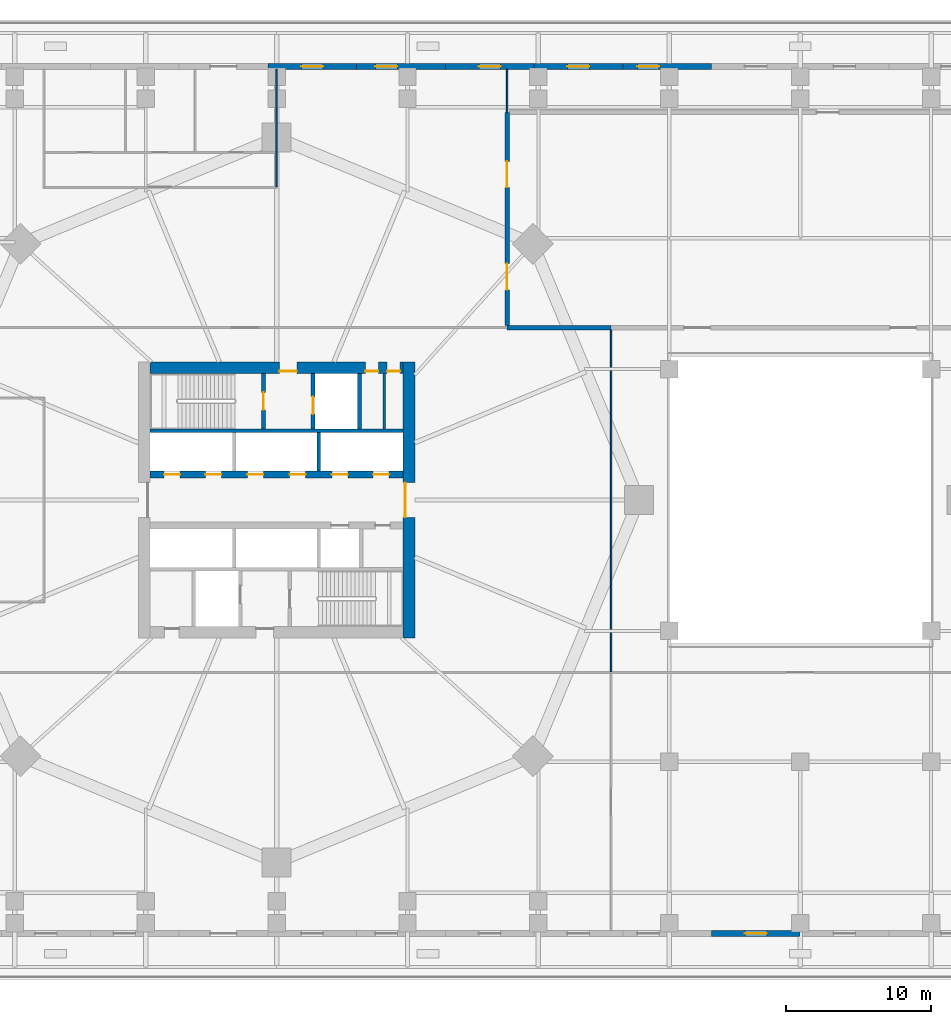
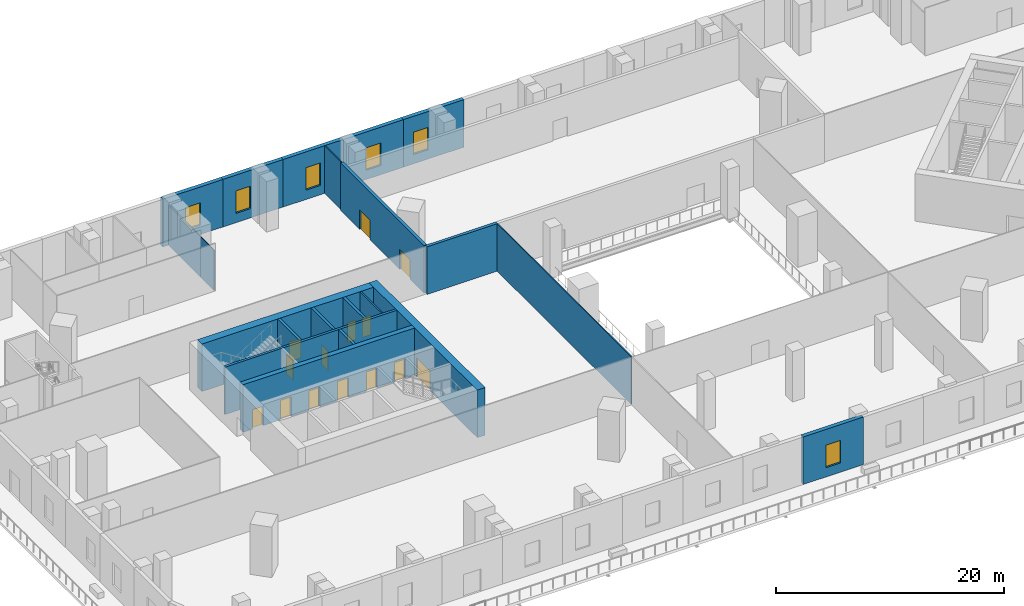
# One storey, part 6 of 19: 21 walls, 14 doors, 6 windows, 20 openings.
"""IFC4 building model written with IfcOpenShell, lengths in metres."""

from ifc_helpers import new_model, si_unit, direction, frame, frame_2d, origin, place, context, subcontext, project, spatial, rectangle, extrude, material, layer, layer_set, type_object, element, fill, save


model = new_model("IFC4")

# Units and contexts
model_context = context("Model", 3, precision=1e-05, world=origin(), true_north=direction((0.0, 1.0)))
body_context = subcontext(model_context, "Body", "Model", "MODEL_VIEW")
ifc_project = project(units=[si_unit("LENGTHUNIT", "METRE"), si_unit("AREAUNIT", "SQUARE_METRE"), si_unit("VOLUMEUNIT", "CUBIC_METRE"), si_unit("PLANEANGLEUNIT", "RADIAN"), si_unit("MASSUNIT", "GRAM", prefix="KILO")], contexts=[model_context])

# Site, building, storey
site_placement = place(None, origin())
site = spatial("IfcSite", under=ifc_project, at=site_placement, CompositionType="ELEMENT")
building_placement = place(site_placement, origin())
building = spatial("IfcBuilding", under=site, at=building_placement, Name="Ogive Gate Towers", CompositionType="ELEMENT")
storey_placement = place(building_placement, frame((0.0, 0.0, 12.60009765625)))
storey = spatial("IfcBuildingStorey", under=building, at=storey_placement, Name="L02", CompositionType="ELEMENT", Elevation=12.60009765625)

# Wall, openings, doors
ifc_material_1 = material(Name="Concrete C60/75", Category="concrete")
ifc_layer_1 = layer(ifc_material_1, 0.800048828125)
ifc_layer_set_1 = layer_set([ifc_layer_1], Name="Core wall 800 mm")
wall_type_1 = type_object("IfcWallType", Name="Core wall 800 mm", PredefinedType="SHEAR", material=ifc_layer_set_1)
wall_1_placement = place(storey_placement, frame((-44.699951171875, 9.10009765625, 0.0), z_axis=(0.0, 0.0, 1.0), x_axis=(1.0, 0.0, 0.0)))
wall_1 = element("IfcWall", 1, at=wall_1_placement, inside=storey, type_object=wall_type_1, Name="T1 L02 Core wall 800 mm", PredefinedType="SHEAR", context=body_context, shape_type="SweptSolid", body=[
    extrude(rectangle(XDim=17.39990234375, YDim=0.800048828125, at=frame_2d((8.699951171875, 0.0))), origin(), (0.0, 0.0, 1.0), 5.099853515625),
])
opening_1_placement = place(wall_1_placement, frame((8.89990234375, 0.0, 0.0)))
opening_1 = element("IfcOpeningElement", 2, at=opening_1_placement, cuts=wall_1, Name="Opening KD-T1-L02-15", PredefinedType="OPENING", context=body_context, shape_type="SweptSolid", body=[
    extrude(rectangle(XDim=1.199951171875, YDim=2.10009765625, at=frame_2d((0.60009765625, 1.050048828125))), frame((0.0, 0.41015625, 0.0), z_axis=(0.0, -1.0, 0.0), x_axis=(1.0, 0.0, 0.0)), (0.0, 0.0, 1.0), 0.820068359375),
])
opening_2_placement = place(wall_1_placement, frame((14.800048828125, 0.0, 0.0)))
opening_2 = element("IfcOpeningElement", 3, at=opening_2_placement, cuts=wall_1, Name="Opening KD-T1-L02-17", PredefinedType="OPENING", context=body_context, shape_type="SweptSolid", body=[
    extrude(rectangle(XDim=0.89990234375, YDim=2.10009765625, at=frame_2d((0.449951171875, 1.050048828125))), frame((0.0, 0.41015625, 0.0), z_axis=(0.0, -1.0, 0.0), x_axis=(1.0, 0.0, 0.0)), (0.0, 0.0, 1.0), 0.820068359375),
])
opening_3_placement = place(wall_1_placement, frame((16.300048828125, 0.0, 0.0)))
opening_3 = element("IfcOpeningElement", 4, at=opening_3_placement, cuts=wall_1, Name="Opening KD-T1-L02-18", PredefinedType="OPENING", context=body_context, shape_type="SweptSolid", body=[
    extrude(rectangle(XDim=0.89990234375, YDim=2.10009765625, at=frame_2d((0.449951171875, 1.050048828125))), frame((0.0, 0.41015625, 0.0), z_axis=(0.0, -1.0, 0.0), x_axis=(1.0, 0.0, 0.0)), (0.0, 0.0, 1.0), 0.820068359375),
])
ifc_material_2 = material(Name="Timber door", Category="wood")
door_type_1 = type_object("IfcDoorType", Name="Core WC door 900 x 2100", OperationType="NOTDEFINED", PredefinedType="DOOR", material=ifc_material_2)
door_1_placement = place(opening_2_placement, origin())
door_1 = element("IfcDoor", 5, at=door_1_placement, inside=storey, type_object=door_type_1, Name="T1 L02 Core door", OperationType="SINGLE_SWING_RIGHT", OverallHeight=2.10009765625, OverallWidth=0.89990234375, PredefinedType="DOOR", context=body_context, shape_type="SweptSolid", body=[
    extrude(rectangle(XDim=0.89990234375, YDim=2.10009765625, at=frame_2d((0.449951171875, 1.050048828125))), frame((0.0, -0.22509765625, 0.0), z_axis=(0.0, -1.0, 0.0), x_axis=(1.0, 0.0, 0.0)), (0.0, 0.0, 1.0), 0.050048828125),
])
fill(opening_2, door_1)
door_2_placement = place(opening_3_placement, origin())
door_2 = element("IfcDoor", 6, at=door_2_placement, inside=storey, type_object=door_type_1, Name="T1 L02 Core door", OperationType="SINGLE_SWING_LEFT", OverallHeight=2.10009765625, OverallWidth=0.89990234375, PredefinedType="DOOR", context=body_context, shape_type="SweptSolid", body=[
    extrude(rectangle(XDim=0.89990234375, YDim=2.10009765625, at=frame_2d((0.449951171875, 1.050048828125))), frame((0.0, -0.22509765625, 0.0), z_axis=(0.0, -1.0, 0.0), x_axis=(1.0, 0.0, 0.0)), (0.0, 0.0, 1.0), 0.050048828125),
])
fill(opening_3, door_2)
ifc_material_3 = material(Name="Steel fire door", Category="steel")
door_type_2 = type_object("IfcDoorType", Name="Core door FD60S 1200 x 2100", OperationType="NOTDEFINED", PredefinedType="DOOR", material=ifc_material_3)
door_3_placement = place(opening_1_placement, origin())
door_3 = element("IfcDoor", 7, at=door_3_placement, inside=storey, type_object=door_type_2, Name="T1 L02 Fire-fighting lobby door", OperationType="SINGLE_SWING_RIGHT", OverallHeight=2.10009765625, OverallWidth=1.199951171875, PredefinedType="DOOR", context=body_context, shape_type="SweptSolid", body=[
    extrude(rectangle(XDim=1.199951171875, YDim=2.10009765625, at=frame_2d((0.60009765625, 1.050048828125))), frame((0.0, -0.22509765625, 0.0), z_axis=(0.0, -1.0, 0.0), x_axis=(1.0, 0.0, 0.0)), (0.0, 0.0, 1.0), 0.050048828125),
])
fill(opening_1, door_3)

# Wall, opening, door
wall_2_placement = place(storey_placement, frame((-26.89990234375, -9.5, 0.0), z_axis=(0.0, 0.0, 1.0), x_axis=(0.0, 1.0, 0.0)))
wall_2 = element("IfcWall", 8, at=wall_2_placement, inside=storey, type_object=wall_type_1, Name="T1 L02 Core wall 800 mm", PredefinedType="SHEAR", context=body_context, shape_type="SweptSolid", body=[
    extrude(rectangle(XDim=19.0, YDim=0.800048828125, at=frame_2d((9.5, 0.0))), origin(), (0.0, 0.0, 1.0), 5.099853515625),
])
opening_4_placement = place(wall_2_placement, frame((8.300048828125, 0.0, 0.0)))
opening_4 = element("IfcOpeningElement", 9, at=opening_4_placement, cuts=wall_2, Name="Opening KD-T1-L02-02", PredefinedType="OPENING", context=body_context, shape_type="SweptSolid", body=[
    extrude(rectangle(XDim=2.39990234375, YDim=2.10009765625, at=frame_2d((1.199951171875, 1.050048828125))), frame((0.0, 0.41015625, 0.0), z_axis=(0.0, -1.0, 0.0), x_axis=(1.0, 0.0, 0.0)), (0.0, 0.0, 1.0), 0.820068359375),
])
door_type_3 = type_object("IfcDoorType", Name="Core double door FD60S 2400 x 2100", OperationType="DOUBLE_DOOR_SINGLE_SWING", PredefinedType="DOOR", material=ifc_material_3)
door_4_placement = place(opening_4_placement, origin())
door_4 = element("IfcDoor", 10, at=door_4_placement, inside=storey, type_object=door_type_3, Name="T1 L02 Core door double", OperationType="DOUBLE_DOOR_SINGLE_SWING", OverallHeight=2.10009765625, OverallWidth=2.39990234375, PredefinedType="DOOR", context=body_context, shape_type="SweptSolid", body=[
    extrude(rectangle(XDim=2.39990234375, YDim=2.10009765625, at=frame_2d((1.199951171875, 1.050048828125))), frame((0.0, 0.27490234375, 0.0), z_axis=(0.0, -1.0, 0.0), x_axis=(1.0, 0.0, 0.0)), (0.0, 0.0, 1.0), 0.050048828125),
])
fill(opening_4, door_4)

# Walls
ifc_material_4 = material(Name="Gypsum board partition")
ifc_layer_2 = layer(ifc_material_4, 0.10009765625)
ifc_layer_set_2 = layer_set([ifc_layer_2], Name="Partition wall 100")
wall_type_2 = type_object("IfcWallType", Name="Partition wall 100", PredefinedType="PARTITIONING", material=ifc_layer_set_2)
wall_3_placement = place(storey_placement, frame((-20.14990234375, 26.64990234375, 0.0), z_axis=(0.0, 0.0, 1.0), x_axis=(0.0, 1.0, 0.0)))
element("IfcWall", 11, at=wall_3_placement, inside=storey, type_object=wall_type_2, Name="L02 partition 023", PredefinedType="PARTITIONING", context=body_context, shape_type="SweptSolid", body=[
    extrude(rectangle(XDim=2.9501953125, YDim=0.10009765625, at=frame_2d((1.47509765625, 0.0))), origin(), (0.0, 0.0, 1.0), 5.099853515625),
])
wall_4_placement = place(storey_placement, frame((-36.0, 21.550048828125, 0.0), z_axis=(0.0, 0.0, 1.0), x_axis=(0.0, 1.0, 0.0)))
element("IfcWall", 12, at=wall_4_placement, inside=storey, type_object=wall_type_2, Name="L02 partition 030", PredefinedType="PARTITIONING", context=body_context, shape_type="SweptSolid", body=[
    extrude(rectangle(XDim=2.349853515625, YDim=0.10009765625, at=frame_2d((1.1748046875, 0.0))), origin(), (0.0, 0.0, 1.0), 4.309814453125),
])
wall_5_placement = place(storey_placement, frame((-36.0, 23.89990234375, 0.0), z_axis=(0.0, 0.0, 1.0), x_axis=(0.0, 1.0, 0.0)))
element("IfcWall", 13, at=wall_5_placement, inside=storey, type_object=wall_type_2, Name="L02 partition 034", PredefinedType="PARTITIONING", context=body_context, shape_type="SweptSolid", body=[
    extrude(rectangle(XDim=5.7001953125, YDim=0.10009765625, at=frame_2d((2.85009765625, 0.0))), origin(), (0.0, 0.0, 1.0), 4.309814453125),
])
wall_6_placement = place(storey_placement, frame((-13.0, -11.800048828125, 0.0), z_axis=(0.0, 0.0, 1.0), x_axis=(0.0, 1.0, 0.0)))
element("IfcWall", 14, at=wall_6_placement, inside=storey, type_object=wall_type_2, Name="L02 partition 050", PredefinedType="PARTITIONING", context=body_context, shape_type="SweptSolid", body=[
    extrude(rectangle(XDim=23.5, YDim=0.10009765625, at=frame_2d((11.75, 0.0))), origin(), (0.0, 0.0, 1.0), 5.099853515625),
])

# Wall, openings, doors
ifc_material_5 = material(Name="Acoustic masonry wall", Category="masonry")
ifc_layer_3 = layer(ifc_material_5, 0.300048828125)
ifc_layer_set_3 = layer_set([ifc_layer_3], Name="Partition wall 300")
wall_type_3 = type_object("IfcWallType", Name="Partition wall 300", PredefinedType="PARTITIONING", material=ifc_layer_set_3)
wall_7_placement = place(storey_placement, frame((-20.14990234375, 12.0, 0.0), z_axis=(0.0, 0.0, 1.0), x_axis=(0.0, 1.0, 0.0)))
wall_7 = element("IfcWall", 15, at=wall_7_placement, inside=storey, type_object=wall_type_3, Name="L02 partition 018", PredefinedType="PARTITIONING", context=body_context, shape_type="SweptSolid", body=[
    extrude(rectangle(XDim=14.64990234375, YDim=0.300048828125, at=frame_2d((7.324951171875, 0.0))), origin(), (0.0, 0.0, 1.0), 5.099853515625),
])
opening_5_placement = place(wall_7_placement, frame((2.44384765625, 0.0, 0.0)))
opening_5 = element("IfcOpeningElement", 16, at=opening_5_placement, cuts=wall_7, Name="Opening PO158", PredefinedType="OPENING", context=body_context, shape_type="SweptSolid", body=[
    extrude(rectangle(XDim=1.800048828125, YDim=2.10009765625, at=frame_2d((0.89990234375, 1.050048828125))), frame((0.0, 0.16015625, 0.0), z_axis=(0.0, -1.0, 0.0), x_axis=(1.0, 0.0, 0.0)), (0.0, 0.0, 1.0), 0.320068359375),
])
opening_6_placement = place(wall_7_placement, frame((9.487548828125, 0.0, 0.0)))
opening_6 = element("IfcOpeningElement", 17, at=opening_6_placement, cuts=wall_7, Name="Opening PO159", PredefinedType="OPENING", context=body_context, shape_type="SweptSolid", body=[
    extrude(rectangle(XDim=1.800048828125, YDim=2.10009765625, at=frame_2d((0.89990234375, 1.050048828125))), frame((0.0, 0.16015625, 0.0), z_axis=(0.0, -1.0, 0.0), x_axis=(1.0, 0.0, 0.0)), (0.0, 0.0, 1.0), 0.320068359375),
])
door_type_4 = type_object("IfcDoorType", Name="Interior fire double door FD60S 1800 x 2100", OperationType="NOTDEFINED", PredefinedType="DOOR", material=ifc_material_3)
door_5_placement = place(opening_5_placement, origin())
door_5 = element("IfcDoor", 18, at=door_5_placement, inside=storey, type_object=door_type_4, Name="Door PO158", OperationType="DOUBLE_DOOR_DOUBLE_SWING", OverallHeight=2.10009765625, OverallWidth=1.800048828125, PredefinedType="DOOR", context=body_context, shape_type="SweptSolid", body=[
    extrude(rectangle(XDim=1.800048828125, YDim=2.10009765625, at=frame_2d((0.89990234375, 1.050048828125))), frame((0.0, 0.02490234375, 0.0), z_axis=(0.0, -1.0, 0.0), x_axis=(1.0, 0.0, 0.0)), (0.0, 0.0, 1.0), 0.050048828125),
])
fill(opening_5, door_5)
door_6_placement = place(opening_6_placement, origin())
door_6 = element("IfcDoor", 19, at=door_6_placement, inside=storey, type_object=door_type_4, Name="Door PO159", OperationType="DOUBLE_DOOR_DOUBLE_SWING", OverallHeight=2.10009765625, OverallWidth=1.800048828125, PredefinedType="DOOR", context=body_context, shape_type="SweptSolid", body=[
    extrude(rectangle(XDim=1.800048828125, YDim=2.10009765625, at=frame_2d((0.89990234375, 1.050048828125))), frame((0.0, 0.02490234375, 0.0), z_axis=(0.0, -1.0, 0.0), x_axis=(1.0, 0.0, 0.0)), (0.0, 0.0, 1.0), 0.050048828125),
])
fill(opening_6, door_6)

# Wall
wall_8_placement = place(storey_placement, frame((-20.14990234375, 11.85009765625, 0.0), z_axis=(0.0, 0.0, 1.0), x_axis=(1.0, 0.0, 0.0)))
element("IfcWall", 20, at=wall_8_placement, inside=storey, type_object=wall_type_3, Name="L02 partition 021", PredefinedType="PARTITIONING", context=body_context, shape_type="SweptSolid", body=[
    extrude(rectangle(XDim=7.14990234375, YDim=0.300048828125, at=frame_2d((3.574951171875, 0.0))), origin(), (0.0, 0.0, 1.0), 5.099853515625),
])

# Wall, opening, window
ifc_material_6 = material(Name="Precast concrete C40/50", Category="concrete")
ifc_layer_4 = layer(ifc_material_6, 0.39990234375)
ifc_layer_set_4 = layer_set([ifc_layer_4], Name="Podium wall 400")
wall_type_4 = type_object("IfcWallType", Name="Podium wall 400", PredefinedType="SOLIDWALL", material=ifc_layer_set_4)
wall_9_placement = place(storey_placement, frame((-6.10009765625, 29.800048828125, 0.0), z_axis=(0.0, 0.0, 1.0), x_axis=(-1.0, 0.0, 0.0)))
wall_9 = element("IfcWall", 21, at=wall_9_placement, inside=storey, type_object=wall_type_4, Name="Podium wall", PredefinedType="SOLIDWALL", context=body_context, shape_type="SweptSolid", body=[
    extrude(rectangle(XDim=6.099853515625, YDim=0.39990234375, at=frame_2d((3.0498046875, 0.0))), origin(), (0.0, 0.0, 1.0), 5.099853515625),
])
opening_7_placement = place(wall_9_placement, frame((3.60009765625, 0.0, 1.0)))
opening_7 = element("IfcOpeningElement", 22, at=opening_7_placement, cuts=wall_9, Name="Opening WN2", PredefinedType="OPENING", context=body_context, shape_type="SweptSolid", body=[
    extrude(rectangle(XDim=1.5, YDim=2.39990234375, at=frame_2d((0.75, 1.199951171875))), frame((0.0, 0.2099609375, 0.0), z_axis=(0.0, -1.0, 0.0), x_axis=(1.0, 0.0, 0.0)), (0.0, 0.0, 1.0), 0.419921875),
])
ifc_material_7 = material(Name="Clear glass", Category="glass")
window_type = type_object("IfcWindowType", Name="Podium window 1500 x 2400", PartitioningType="SINGLE_PANEL", PredefinedType="WINDOW", material=ifc_material_7)
window_1_placement = place(opening_7_placement, origin())
window_1 = element("IfcWindow", 23, at=window_1_placement, inside=storey, type_object=window_type, Name="Podium window", OverallHeight=2.39990234375, OverallWidth=1.5, PartitioningType="SINGLE_PANEL", PredefinedType="WINDOW", context=body_context, shape_type="SweptSolid", body=[
    extrude(rectangle(XDim=1.5, YDim=2.39990234375, at=frame_2d((0.75, 1.199951171875))), frame((0.0, 0.030029296875, 0.0), z_axis=(0.0, -1.0, 0.0), x_axis=(1.0, 0.0, 0.0)), (0.0, 0.0, 1.0), 0.06005859375),
])
fill(opening_7, window_1)

wall_10_placement = place(storey_placement, frame((-12.199951171875, 29.800048828125, 0.0), z_axis=(0.0, 0.0, 1.0), x_axis=(-1.0, 0.0, 0.0)))
wall_10 = element("IfcWall", 24, at=wall_10_placement, inside=storey, type_object=wall_type_4, Name="Podium wall", PredefinedType="SOLIDWALL", context=body_context, shape_type="SweptSolid", body=[
    extrude(rectangle(XDim=6.10009765625, YDim=0.39990234375, at=frame_2d((3.050048828125, 0.0))), origin(), (0.0, 0.0, 1.0), 5.099853515625),
])
opening_8_placement = place(wall_10_placement, frame((2.300048828125, 0.0, 1.0)))
opening_8 = element("IfcOpeningElement", 25, at=opening_8_placement, cuts=wall_10, Name="Opening WN2", PredefinedType="OPENING", context=body_context, shape_type="SweptSolid", body=[
    extrude(rectangle(XDim=1.5, YDim=2.39990234375, at=frame_2d((0.75, 1.199951171875))), frame((0.0, 0.2099609375, 0.0), z_axis=(0.0, -1.0, 0.0), x_axis=(1.0, 0.0, 0.0)), (0.0, 0.0, 1.0), 0.419921875),
])
window_2_placement = place(opening_8_placement, origin())
window_2 = element("IfcWindow", 26, at=window_2_placement, inside=storey, type_object=window_type, Name="Podium window", OverallHeight=2.39990234375, OverallWidth=1.5, PartitioningType="SINGLE_PANEL", PredefinedType="WINDOW", context=body_context, shape_type="SweptSolid", body=[
    extrude(rectangle(XDim=1.5, YDim=2.39990234375, at=frame_2d((0.75, 1.199951171875))), frame((0.0, 0.030029296875, 0.0), z_axis=(0.0, -1.0, 0.0), x_axis=(1.0, 0.0, 0.0)), (0.0, 0.0, 1.0), 0.06005859375),
])
fill(opening_8, window_2)

wall_11_placement = place(storey_placement, frame((-18.300048828125, 29.800048828125, 0.0), z_axis=(0.0, 0.0, 1.0), x_axis=(-1.0, 0.0, 0.0)))
wall_11 = element("IfcWall", 27, at=wall_11_placement, inside=storey, type_object=wall_type_4, Name="Podium wall", PredefinedType="SOLIDWALL", context=body_context, shape_type="SweptSolid", body=[
    extrude(rectangle(XDim=6.099853515625, YDim=0.39990234375, at=frame_2d((3.0498046875, 0.0))), origin(), (0.0, 0.0, 1.0), 5.099853515625),
])
opening_9_placement = place(wall_11_placement, frame((2.300048828125, 0.0, 1.0)))
opening_9 = element("IfcOpeningElement", 28, at=opening_9_placement, cuts=wall_11, Name="Opening WN2", PredefinedType="OPENING", context=body_context, shape_type="SweptSolid", body=[
    extrude(rectangle(XDim=1.5, YDim=2.39990234375, at=frame_2d((0.75, 1.199951171875))), frame((0.0, 0.2099609375, 0.0), z_axis=(0.0, -1.0, 0.0), x_axis=(1.0, 0.0, 0.0)), (0.0, 0.0, 1.0), 0.419921875),
])
window_3_placement = place(opening_9_placement, origin())
window_3 = element("IfcWindow", 29, at=window_3_placement, inside=storey, type_object=window_type, Name="Podium window", OverallHeight=2.39990234375, OverallWidth=1.5, PartitioningType="SINGLE_PANEL", PredefinedType="WINDOW", context=body_context, shape_type="SweptSolid", body=[
    extrude(rectangle(XDim=1.5, YDim=2.39990234375, at=frame_2d((0.75, 1.199951171875))), frame((0.0, 0.030029296875, 0.0), z_axis=(0.0, -1.0, 0.0), x_axis=(1.0, 0.0, 0.0)), (0.0, 0.0, 1.0), 0.06005859375),
])
fill(opening_9, window_3)

wall_12_placement = place(storey_placement, frame((-24.39990234375, 29.800048828125, 0.0), z_axis=(0.0, 0.0, 1.0), x_axis=(-1.0, 0.0, 0.0)))
wall_12 = element("IfcWall", 30, at=wall_12_placement, inside=storey, type_object=wall_type_4, Name="Podium wall", PredefinedType="SOLIDWALL", context=body_context, shape_type="SweptSolid", body=[
    extrude(rectangle(XDim=6.10009765625, YDim=0.39990234375, at=frame_2d((3.050048828125, 0.0))), origin(), (0.0, 0.0, 1.0), 5.099853515625),
])
opening_10_placement = place(wall_12_placement, frame((3.300048828125, 0.0, 1.0)))
opening_10 = element("IfcOpeningElement", 31, at=opening_10_placement, cuts=wall_12, Name="Opening WN2", PredefinedType="OPENING", context=body_context, shape_type="SweptSolid", body=[
    extrude(rectangle(XDim=1.5, YDim=2.39990234375, at=frame_2d((0.75, 1.199951171875))), frame((0.0, 0.2099609375, 0.0), z_axis=(0.0, -1.0, 0.0), x_axis=(1.0, 0.0, 0.0)), (0.0, 0.0, 1.0), 0.419921875),
])
window_4_placement = place(opening_10_placement, origin())
window_4 = element("IfcWindow", 32, at=window_4_placement, inside=storey, type_object=window_type, Name="Podium window", OverallHeight=2.39990234375, OverallWidth=1.5, PartitioningType="SINGLE_PANEL", PredefinedType="WINDOW", context=body_context, shape_type="SweptSolid", body=[
    extrude(rectangle(XDim=1.5, YDim=2.39990234375, at=frame_2d((0.75, 1.199951171875))), frame((0.0, 0.030029296875, 0.0), z_axis=(0.0, -1.0, 0.0), x_axis=(1.0, 0.0, 0.0)), (0.0, 0.0, 1.0), 0.06005859375),
])
fill(opening_10, window_4)

wall_13_placement = place(storey_placement, frame((-30.5, 29.800048828125, 0.0), z_axis=(0.0, 0.0, 1.0), x_axis=(-1.0, 0.0, 0.0)))
wall_13 = element("IfcWall", 33, at=wall_13_placement, inside=storey, type_object=wall_type_4, Name="Podium wall", PredefinedType="SOLIDWALL", context=body_context, shape_type="SweptSolid", body=[
    extrude(rectangle(XDim=6.10009765625, YDim=0.39990234375, at=frame_2d((3.050048828125, 0.0))), origin(), (0.0, 0.0, 1.0), 5.099853515625),
])
opening_11_placement = place(wall_13_placement, frame((2.300048828125, 0.0, 1.0)))
opening_11 = element("IfcOpeningElement", 34, at=opening_11_placement, cuts=wall_13, Name="Opening WN2", PredefinedType="OPENING", context=body_context, shape_type="SweptSolid", body=[
    extrude(rectangle(XDim=1.5, YDim=2.39990234375, at=frame_2d((0.75, 1.199951171875))), frame((0.0, 0.2099609375, 0.0), z_axis=(0.0, -1.0, 0.0), x_axis=(1.0, 0.0, 0.0)), (0.0, 0.0, 1.0), 0.419921875),
])
window_5_placement = place(opening_11_placement, origin())
window_5 = element("IfcWindow", 35, at=window_5_placement, inside=storey, type_object=window_type, Name="Podium window", OverallHeight=2.39990234375, OverallWidth=1.5, PartitioningType="SINGLE_PANEL", PredefinedType="WINDOW", context=body_context, shape_type="SweptSolid", body=[
    extrude(rectangle(XDim=1.5, YDim=2.39990234375, at=frame_2d((0.75, 1.199951171875))), frame((0.0, 0.030029296875, 0.0), z_axis=(0.0, -1.0, 0.0), x_axis=(1.0, 0.0, 0.0)), (0.0, 0.0, 1.0), 0.06005859375),
])
fill(opening_11, window_5)

wall_14_placement = place(storey_placement, frame((-6.10009765625, -29.800048828125, 0.0), z_axis=(0.0, 0.0, 1.0), x_axis=(1.0, 0.0, 0.0)))
wall_14 = element("IfcWall", 36, at=wall_14_placement, inside=storey, type_object=wall_type_4, Name="Podium wall", PredefinedType="SOLIDWALL", context=body_context, shape_type="SweptSolid", body=[
    extrude(rectangle(XDim=6.10009765625, YDim=0.39990234375, at=frame_2d((3.050048828125, 0.0))), origin(), (0.0, 0.0, 1.0), 5.099853515625),
])
opening_12_placement = place(wall_14_placement, frame((2.300048828125, 0.0, 1.0)))
opening_12 = element("IfcOpeningElement", 37, at=opening_12_placement, cuts=wall_14, Name="Opening WN2", PredefinedType="OPENING", context=body_context, shape_type="SweptSolid", body=[
    extrude(rectangle(XDim=1.5, YDim=2.39990234375, at=frame_2d((0.75, 1.199951171875))), frame((0.0, 0.2099609375, 0.0), z_axis=(0.0, -1.0, 0.0), x_axis=(1.0, 0.0, 0.0)), (0.0, 0.0, 1.0), 0.419921875),
])
window_6_placement = place(opening_12_placement, origin())
window_6 = element("IfcWindow", 38, at=window_6_placement, inside=storey, type_object=window_type, Name="Podium window", OverallHeight=2.39990234375, OverallWidth=1.5, PartitioningType="SINGLE_PANEL", PredefinedType="WINDOW", context=body_context, shape_type="SweptSolid", body=[
    extrude(rectangle(XDim=1.5, YDim=2.39990234375, at=frame_2d((0.75, 1.199951171875))), frame((0.0, 0.030029296875, 0.0), z_axis=(0.0, -1.0, 0.0), x_axis=(1.0, 0.0, 0.0)), (0.0, 0.0, 1.0), 0.06005859375),
])
fill(opening_12, window_6)

# Walls
ifc_layer_5 = layer(ifc_material_4, 0.14990234375)
ifc_layer_set_5 = layer_set([ifc_layer_5], Name="Room partition 150 mm")
wall_type_5 = type_object("IfcWallType", Name="Room partition 150 mm", PredefinedType="PARTITIONING", material=ifc_layer_set_5)
wall_15_placement = place(storey_placement, frame((-28.60009765625, 4.875, 0.0), z_axis=(0.0, 0.0, 1.0), x_axis=(0.0, 1.0, 0.0)))
element("IfcWall", 39, at=wall_15_placement, inside=storey, type_object=wall_type_5, Name="T1 L02 Room partition 150 mm", PredefinedType="PARTITIONING", context=body_context, shape_type="SweptSolid", body=[
    extrude(rectangle(XDim=3.824951171875, YDim=0.14990234375, at=frame_2d((1.91259765625, 0.0))), origin(), (0.0, 0.0, 1.0), 5.099853515625),
])
ifc_layer_6 = layer(ifc_material_1, 0.25)
ifc_layer_set_6 = layer_set([ifc_layer_6], Name="Shaft wall 250 mm")
wall_type_6 = type_object("IfcWallType", Name="Shaft wall 250 mm", PredefinedType="SHEAR", material=ifc_layer_set_6)
wall_16_placement = place(storey_placement, frame((-44.699951171875, 4.75, 0.0), z_axis=(0.0, 0.0, 1.0), x_axis=(1.0, 0.0, 0.0)))
element("IfcWall", 40, at=wall_16_placement, inside=storey, type_object=wall_type_6, Name="T1 L02 Shaft wall 250 mm", PredefinedType="SHEAR", context=body_context, shape_type="SweptSolid", body=[
    extrude(rectangle(XDim=17.39990234375, YDim=0.25, at=frame_2d((8.699951171875, 0.0))), origin(), (0.0, 0.0, 1.0), 5.099853515625),
])

# Wall, opening, door
wall_17_placement = place(storey_placement, frame((-36.89990234375, 4.875, 0.0), z_axis=(0.0, 0.0, 1.0), x_axis=(0.0, 1.0, 0.0)))
wall_17 = element("IfcWall", 41, at=wall_17_placement, inside=storey, type_object=wall_type_6, Name="T1 L02 Shaft wall 250 mm", PredefinedType="SHEAR", context=body_context, shape_type="SweptSolid", body=[
    extrude(rectangle(XDim=3.824951171875, YDim=0.25, at=frame_2d((1.91259765625, 0.0))), origin(), (0.0, 0.0, 1.0), 5.099853515625),
])
opening_13_placement = place(wall_17_placement, frame((1.324951171875, 0.0, 0.0)))
opening_13 = element("IfcOpeningElement", 42, at=opening_13_placement, cuts=wall_17, Name="Opening KD-T1-L02-13", PredefinedType="OPENING", context=body_context, shape_type="SweptSolid", body=[
    extrude(rectangle(XDim=1.199951171875, YDim=2.10009765625, at=frame_2d((0.60009765625, 1.050048828125))), frame((0.0, 0.135009765625, 0.0), z_axis=(0.0, -1.0, 0.0), x_axis=(1.0, 0.0, 0.0)), (0.0, 0.0, 1.0), 0.27001953125),
])
door_7_placement = place(opening_13_placement, origin())
door_7 = element("IfcDoor", 43, at=door_7_placement, inside=storey, type_object=door_type_2, Name="T1 L02 Stair door", OperationType="SINGLE_SWING_RIGHT", OverallHeight=2.10009765625, OverallWidth=1.199951171875, PredefinedType="DOOR", context=body_context, shape_type="SweptSolid", body=[
    extrude(rectangle(XDim=1.199951171875, YDim=2.10009765625, at=frame_2d((0.60009765625, 1.050048828125))), frame((0.0, 0.02490234375, 0.0), z_axis=(0.0, -1.0, 0.0), x_axis=(1.0, 0.0, 0.0)), (0.0, 0.0, 1.0), 0.050048828125),
])
fill(opening_13, door_7)

wall_18_placement = place(storey_placement, frame((-33.5, 4.875, 0.0), z_axis=(0.0, 0.0, 1.0), x_axis=(0.0, 1.0, 0.0)))
wall_18 = element("IfcWall", 44, at=wall_18_placement, inside=storey, type_object=wall_type_6, Name="T1 L02 Shaft wall 250 mm", PredefinedType="SHEAR", context=body_context, shape_type="SweptSolid", body=[
    extrude(rectangle(XDim=3.824951171875, YDim=0.25, at=frame_2d((1.91259765625, 0.0))), origin(), (0.0, 0.0, 1.0), 5.099853515625),
])
opening_14_placement = place(wall_18_placement, frame((1.02490234375, 0.0, 0.0)))
opening_14 = element("IfcOpeningElement", 45, at=opening_14_placement, cuts=wall_18, Name="Opening LD-T1-L02-10", PredefinedType="OPENING", context=body_context, shape_type="SweptSolid", body=[
    extrude(rectangle(XDim=1.199951171875, YDim=2.10009765625, at=frame_2d((0.60009765625, 1.050048828125))), frame((0.0, 0.135009765625, 0.0), z_axis=(0.0, -1.0, 0.0), x_axis=(1.0, 0.0, 0.0)), (0.0, 0.0, 1.0), 0.27001953125),
])
ifc_material_8 = material(Name="Stainless steel landing door", Category="steel")
door_type_5 = type_object("IfcDoorType", Name="Landing door 1200 x 2100", OperationType="SLIDING_TO_LEFT", PredefinedType="DOOR", material=ifc_material_8)
door_8_placement = place(opening_14_placement, origin())
door_8 = element("IfcDoor", 46, at=door_8_placement, inside=storey, type_object=door_type_5, Name="T1 L02 Lift landing door FF1", OperationType="SLIDING_TO_LEFT", OverallHeight=2.10009765625, OverallWidth=1.199951171875, PredefinedType="DOOR", context=body_context, shape_type="SweptSolid", body=[
    extrude(rectangle(XDim=1.199951171875, YDim=2.10009765625, at=frame_2d((0.60009765625, 1.050048828125))), frame((0.0, 0.02490234375, 0.0), z_axis=(0.0, -1.0, 0.0), x_axis=(1.0, 0.0, 0.0)), (0.0, 0.0, 1.0), 0.050048828125),
])
fill(opening_14, door_8)

# Walls
wall_19_placement = place(storey_placement, frame((-33.10009765625, 2.0, 0.0), z_axis=(0.0, 0.0, 1.0), x_axis=(0.0, 1.0, 0.0)))
element("IfcWall", 47, at=wall_19_placement, inside=storey, type_object=wall_type_6, Name="T1 L02 Shaft wall 250 mm", PredefinedType="SHEAR", context=body_context, shape_type="SweptSolid", body=[
    extrude(rectangle(XDim=2.625, YDim=0.25, at=frame_2d((1.3125, 0.0))), origin(), (0.0, 0.0, 1.0), 5.099853515625),
])
wall_20_placement = place(storey_placement, frame((-30.300048828125, 4.875, 0.0), z_axis=(0.0, 0.0, 1.0), x_axis=(0.0, 1.0, 0.0)))
element("IfcWall", 48, at=wall_20_placement, inside=storey, type_object=wall_type_6, Name="T1 L02 Shaft wall 250 mm", PredefinedType="SHEAR", context=body_context, shape_type="SweptSolid", body=[
    extrude(rectangle(XDim=3.824951171875, YDim=0.25, at=frame_2d((1.91259765625, 0.0))), origin(), (0.0, 0.0, 1.0), 5.099853515625),
])

# Wall, openings, doors
ifc_layer_7 = layer(ifc_material_1, 0.5)
ifc_layer_set_7 = layer_set([ifc_layer_7], Name="Spine wall 500 mm")
wall_type_7 = type_object("IfcWallType", Name="Spine wall 500 mm", PredefinedType="SHEAR", material=ifc_layer_set_7)
wall_21_placement = place(storey_placement, frame((-44.699951171875, 1.75, 0.0), z_axis=(0.0, 0.0, 1.0), x_axis=(1.0, 0.0, 0.0)))
wall_21 = element("IfcWall", 49, at=wall_21_placement, inside=storey, type_object=wall_type_7, Name="T1 L02 Spine wall 500 mm", PredefinedType="SHEAR", context=body_context, shape_type="SweptSolid", body=[
    extrude(rectangle(XDim=17.39990234375, YDim=0.5, at=frame_2d((8.699951171875, 0.0))), origin(), (0.0, 0.0, 1.0), 5.099853515625),
])
opening_15_placement = place(wall_21_placement, frame((0.96240234375, 0.0, 0.0)))
opening_15 = element("IfcOpeningElement", 50, at=opening_15_placement, cuts=wall_21, Name="Opening LD-T1-L02-03", PredefinedType="OPENING", context=body_context, shape_type="SweptSolid", body=[
    extrude(rectangle(XDim=1.10009765625, YDim=2.10009765625, at=frame_2d((0.550048828125, 1.050048828125))), frame((0.0, 0.260009765625, 0.0), z_axis=(0.0, -1.0, 0.0), x_axis=(1.0, 0.0, 0.0)), (0.0, 0.0, 1.0), 0.52001953125),
])
opening_16_placement = place(wall_21_placement, frame((3.800048828125, 0.0, 0.0)))
opening_16 = element("IfcOpeningElement", 51, at=opening_16_placement, cuts=wall_21, Name="Opening LD-T1-L02-04", PredefinedType="OPENING", context=body_context, shape_type="SweptSolid", body=[
    extrude(rectangle(XDim=1.10009765625, YDim=2.10009765625, at=frame_2d((0.550048828125, 1.050048828125))), frame((0.0, 0.260009765625, 0.0), z_axis=(0.0, -1.0, 0.0), x_axis=(1.0, 0.0, 0.0)), (0.0, 0.0, 1.0), 0.52001953125),
])
opening_17_placement = place(wall_21_placement, frame((6.699951171875, 0.0, 0.0)))
opening_17 = element("IfcOpeningElement", 52, at=opening_17_placement, cuts=wall_21, Name="Opening LD-T1-L02-05", PredefinedType="OPENING", context=body_context, shape_type="SweptSolid", body=[
    extrude(rectangle(XDim=1.10009765625, YDim=2.10009765625, at=frame_2d((0.550048828125, 1.050048828125))), frame((0.0, 0.260009765625, 0.0), z_axis=(0.0, -1.0, 0.0), x_axis=(1.0, 0.0, 0.0)), (0.0, 0.0, 1.0), 0.52001953125),
])
opening_18_placement = place(wall_21_placement, frame((9.60009765625, 0.0, 0.0)))
opening_18 = element("IfcOpeningElement", 53, at=opening_18_placement, cuts=wall_21, Name="Opening LD-T1-L02-06", PredefinedType="OPENING", context=body_context, shape_type="SweptSolid", body=[
    extrude(rectangle(XDim=1.10009765625, YDim=2.10009765625, at=frame_2d((0.550048828125, 1.050048828125))), frame((0.0, 0.260009765625, 0.0), z_axis=(0.0, -1.0, 0.0), x_axis=(1.0, 0.0, 0.0)), (0.0, 0.0, 1.0), 0.52001953125),
])
opening_19_placement = place(wall_21_placement, frame((12.5, 0.0, 0.0)))
opening_19 = element("IfcOpeningElement", 54, at=opening_19_placement, cuts=wall_21, Name="Opening LD-T1-L02-07", PredefinedType="OPENING", context=body_context, shape_type="SweptSolid", body=[
    extrude(rectangle(XDim=1.10009765625, YDim=2.10009765625, at=frame_2d((0.550048828125, 1.050048828125))), frame((0.0, 0.260009765625, 0.0), z_axis=(0.0, -1.0, 0.0), x_axis=(1.0, 0.0, 0.0)), (0.0, 0.0, 1.0), 0.52001953125),
])
opening_20_placement = place(wall_21_placement, frame((15.33740234375, 0.0, 0.0)))
opening_20 = element("IfcOpeningElement", 55, at=opening_20_placement, cuts=wall_21, Name="Opening LD-T1-L02-08", PredefinedType="OPENING", context=body_context, shape_type="SweptSolid", body=[
    extrude(rectangle(XDim=1.10009765625, YDim=2.10009765625, at=frame_2d((0.550048828125, 1.050048828125))), frame((0.0, 0.260009765625, 0.0), z_axis=(0.0, -1.0, 0.0), x_axis=(1.0, 0.0, 0.0)), (0.0, 0.0, 1.0), 0.52001953125),
])
door_type_6 = type_object("IfcDoorType", Name="Landing door 1100 x 2100", OperationType="SLIDING_TO_LEFT", PredefinedType="DOOR", material=ifc_material_8)
door_9_placement = place(opening_15_placement, origin())
door_9 = element("IfcDoor", 56, at=door_9_placement, inside=storey, type_object=door_type_6, Name="T1 L02 Lift landing door A1", OperationType="SLIDING_TO_LEFT", OverallHeight=2.10009765625, OverallWidth=1.10009765625, PredefinedType="DOOR", context=body_context, shape_type="SweptSolid", body=[
    extrude(rectangle(XDim=1.10009765625, YDim=2.10009765625, at=frame_2d((0.550048828125, 1.050048828125))), frame((0.0, 0.02490234375, 0.0), z_axis=(0.0, -1.0, 0.0), x_axis=(1.0, 0.0, 0.0)), (0.0, 0.0, 1.0), 0.050048828125),
])
fill(opening_15, door_9)
door_10_placement = place(opening_16_placement, origin())
door_10 = element("IfcDoor", 57, at=door_10_placement, inside=storey, type_object=door_type_6, Name="T1 L02 Lift landing door A2", OperationType="SLIDING_TO_LEFT", OverallHeight=2.10009765625, OverallWidth=1.10009765625, PredefinedType="DOOR", context=body_context, shape_type="SweptSolid", body=[
    extrude(rectangle(XDim=1.10009765625, YDim=2.10009765625, at=frame_2d((0.550048828125, 1.050048828125))), frame((0.0, 0.02490234375, 0.0), z_axis=(0.0, -1.0, 0.0), x_axis=(1.0, 0.0, 0.0)), (0.0, 0.0, 1.0), 0.050048828125),
])
fill(opening_16, door_10)
door_11_placement = place(opening_17_placement, origin())
door_11 = element("IfcDoor", 58, at=door_11_placement, inside=storey, type_object=door_type_6, Name="T1 L02 Lift landing door A3", OperationType="SLIDING_TO_LEFT", OverallHeight=2.10009765625, OverallWidth=1.10009765625, PredefinedType="DOOR", context=body_context, shape_type="SweptSolid", body=[
    extrude(rectangle(XDim=1.10009765625, YDim=2.10009765625, at=frame_2d((0.550048828125, 1.050048828125))), frame((0.0, 0.02490234375, 0.0), z_axis=(0.0, -1.0, 0.0), x_axis=(1.0, 0.0, 0.0)), (0.0, 0.0, 1.0), 0.050048828125),
])
fill(opening_17, door_11)
door_12_placement = place(opening_18_placement, origin())
door_12 = element("IfcDoor", 59, at=door_12_placement, inside=storey, type_object=door_type_6, Name="T1 L02 Lift landing door A4", OperationType="SLIDING_TO_LEFT", OverallHeight=2.10009765625, OverallWidth=1.10009765625, PredefinedType="DOOR", context=body_context, shape_type="SweptSolid", body=[
    extrude(rectangle(XDim=1.10009765625, YDim=2.10009765625, at=frame_2d((0.550048828125, 1.050048828125))), frame((0.0, 0.02490234375, 0.0), z_axis=(0.0, -1.0, 0.0), x_axis=(1.0, 0.0, 0.0)), (0.0, 0.0, 1.0), 0.050048828125),
])
fill(opening_18, door_12)
door_13_placement = place(opening_19_placement, origin())
door_13 = element("IfcDoor", 60, at=door_13_placement, inside=storey, type_object=door_type_6, Name="T1 L02 Lift landing door A5", OperationType="SLIDING_TO_LEFT", OverallHeight=2.10009765625, OverallWidth=1.10009765625, PredefinedType="DOOR", context=body_context, shape_type="SweptSolid", body=[
    extrude(rectangle(XDim=1.10009765625, YDim=2.10009765625, at=frame_2d((0.550048828125, 1.050048828125))), frame((0.0, 0.02490234375, 0.0), z_axis=(0.0, -1.0, 0.0), x_axis=(1.0, 0.0, 0.0)), (0.0, 0.0, 1.0), 0.050048828125),
])
fill(opening_19, door_13)
door_14_placement = place(opening_20_placement, origin())
door_14 = element("IfcDoor", 61, at=door_14_placement, inside=storey, type_object=door_type_6, Name="T1 L02 Lift landing door A6", OperationType="SLIDING_TO_LEFT", OverallHeight=2.10009765625, OverallWidth=1.10009765625, PredefinedType="DOOR", context=body_context, shape_type="SweptSolid", body=[
    extrude(rectangle(XDim=1.10009765625, YDim=2.10009765625, at=frame_2d((0.550048828125, 1.050048828125))), frame((0.0, 0.02490234375, 0.0), z_axis=(0.0, -1.0, 0.0), x_axis=(1.0, 0.0, 0.0)), (0.0, 0.0, 1.0), 0.050048828125),
])
fill(opening_20, door_14)

save(model, "model.ifc")
